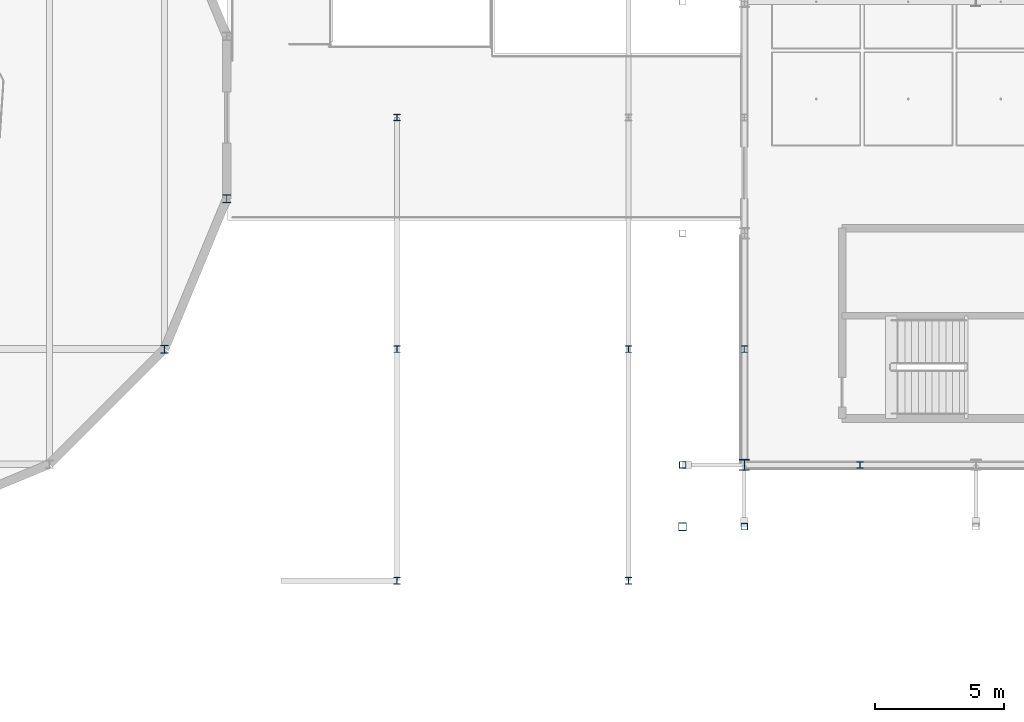
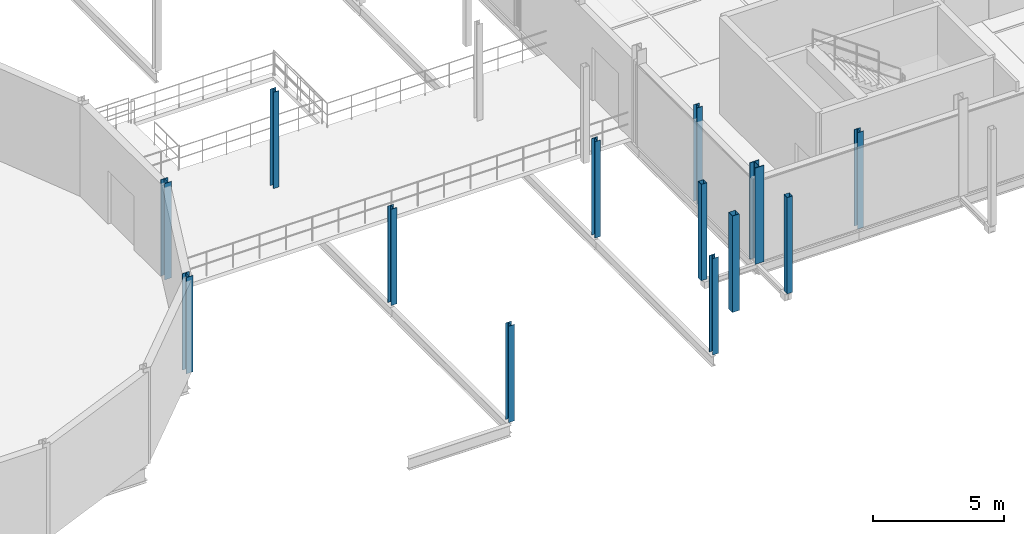
# One storey, part 2 of 130: 13 columns.
"""IFC4 building model written with IfcOpenShell, lengths in metres."""

from ifc_helpers import new_model, si_unit, direction, frame, origin, origin_2d, place, context, subcontext, project, spatial, hollow_rectangle, i_section, extrude, material, material_profile, profile_set, type_object, element, save


model = new_model("IFC4")

# Units and contexts
model_context = context("Model", 3, precision=1e-05, world=origin(), true_north=direction((0.0, 1.0)))
body_context = subcontext(model_context, "Body", "Model", "MODEL_VIEW")
ifc_project = project(units=[si_unit("LENGTHUNIT", "METRE"), si_unit("AREAUNIT", "SQUARE_METRE"), si_unit("VOLUMEUNIT", "CUBIC_METRE"), si_unit("PLANEANGLEUNIT", "RADIAN"), si_unit("MASSUNIT", "GRAM", prefix="KILO"), si_unit("THERMODYNAMICTEMPERATUREUNIT", "KELVIN"), si_unit("POWERUNIT", "WATT")], contexts=[model_context])

# Site, building, storey
site_placement = place(None, origin())
site = spatial("IfcSite", under=ifc_project, at=site_placement, CompositionType="ELEMENT")
building_placement = place(site_placement, origin())
building = spatial("IfcBuilding", under=site, at=building_placement, Name="Tallowbark Science Centre", CompositionType="ELEMENT")
storey_placement = place(building_placement, frame((0.0, 0.0, 5.39990234375)))
storey = spatial("IfcBuildingStorey", under=building, at=storey_placement, Name="L01", CompositionType="ELEMENT", Elevation=5.39990234375)

# Columns
ifc_material_1 = material(Name="White Architectural Painted Steel Grade C350L0 (350 MPa)", Category="steel")
ifc_material_profile_1 = material_profile(ifc_material_1, hollow_rectangle(XDim=0.25, YDim=0.25, WallThickness=0.009033203125, at=origin_2d()), Name="250x250x9.0SHS")
ifc_profile_set_1 = profile_set([ifc_material_profile_1], Name="White Architectural Painted Steel Grade C350L0 (350 MPa)")
column_type_1 = type_object("IfcColumnType", Name="COL-SCR200", PredefinedType="COLUMN", material=ifc_profile_set_1)
for number, where, z_axis, x_axis, name in (
    (1, (58.5, 2.10009765625, 0.0), (0.0, 0.0, 1.0), (1.0, 0.0, 0.0), "Column SCR-S01 L01"),
    (2, (56.10009765625, 4.5, 0.0), (0.0, 0.0, 1.0), (1.0, 0.0, 0.0), "Column SCR-W01 L01"),
):
    element("IfcColumn", number, at=place(storey_placement, frame(where, z_axis=z_axis, x_axis=x_axis)), inside=storey, type_object=column_type_1, Name=name, PredefinedType="COLUMN", context=body_context, shape_type="SweptSolid", body=[
        extrude(hollow_rectangle(XDim=0.25, YDim=0.25, WallThickness=0.009033203125, at=origin_2d()), origin(), (0.0, 0.0, 1.0), 4.5),
    ])
ifc_material_profile_2 = material_profile(ifc_material_1, hollow_rectangle(XDim=0.300048828125, YDim=0.300048828125, WallThickness=0.010009765625, at=origin_2d()), Name="300x300x10.0SHS")
ifc_profile_set_2 = profile_set([ifc_material_profile_2], Name="White Architectural Painted Steel Grade C350L0 (350 MPa)")
column_type_2 = type_object("IfcColumnType", Name="COL-SCR300", PredefinedType="COLUMN", material=ifc_profile_set_2)
column_1_placement = place(storey_placement, frame((56.10009765625, 2.10009765625, 0.0), z_axis=(0.0, 0.0, 1.0), x_axis=(1.0, 0.0, 0.0)))
element("IfcColumn", 3, at=column_1_placement, inside=storey, type_object=column_type_2, Name="Column SCR-S00 L01", PredefinedType="COLUMN", context=body_context, shape_type="SweptSolid", body=[
    extrude(hollow_rectangle(XDim=0.300048828125, YDim=0.300048828125, WallThickness=0.010009765625, at=origin_2d()), origin(), (0.0, 0.0, 1.0), 4.5),
])
ifc_material_2 = material(Name="Structural Steel Grade 300PLUS (300 MPa)", Category="steel")
ifc_material_profile_3 = material_profile(ifc_material_2, i_section(OverallWidth=0.256103515625, OverallDepth=0.260009765625, WebThickness=0.010498046875, FlangeThickness=0.017333984375, FilletRadius=0.013916015625, at=origin_2d()), Name="250UC89.5")
ifc_profile_set_3 = profile_set([ifc_material_profile_3], Name="Structural Steel Grade 300PLUS (300 MPa)")
column_type_3 = type_object("IfcColumnType", Name="COL-UC250A", PredefinedType="COLUMN", material=ifc_profile_set_3)
for number, where, z_axis, x_axis, name in (
    (4, (45.0, 0.0, 0.0), (0.0, 0.0, 1.0), (1.0, 0.0, 0.0), "Column PAS-W00 L01"),
    (5, (54.0, 0.0, 0.0), (0.0, 0.0, 1.0), (1.0, 0.0, 0.0), "Column PAS-E00 L01"),
    (6, (45.0, 9.0, 0.0), (0.0, 0.0, 1.0), (1.0, 0.0, 0.0), "Column PAS-W01 L01"),
    (7, (54.0, 9.0, 0.0), (0.0, 0.0, 1.0), (1.0, 0.0, 0.0), "Column PAS-E01 L01"),
    (8, (45.0, 18.0, 0.0), (0.0, 0.0, 1.0), (1.0, 0.0, 0.0), "Column PAS-W02 L01"),
):
    element("IfcColumn", number, at=place(storey_placement, frame(where, z_axis=z_axis, x_axis=x_axis)), inside=storey, type_object=column_type_3, Name=name, PredefinedType="COLUMN", context=body_context, shape_type="SweptSolid", body=[
        extrude(i_section(OverallWidth=0.256103515625, OverallDepth=0.260009765625, WebThickness=0.010498046875, FlangeThickness=0.017333984375, FilletRadius=0.013916015625, at=origin_2d()), origin(), (0.0, 0.0, 1.0), 4.5),
    ])
ifc_material_profile_4 = material_profile(ifc_material_2, i_section(OverallWidth=0.39990234375, OverallDepth=0.427978515625, WebThickness=0.02001953125, FlangeThickness=0.028076171875, FilletRadius=0.01611328125, at=origin_2d()), Name="400WC270")
ifc_profile_set_4 = profile_set([ifc_material_profile_4], Name="Structural Steel Grade 300PLUS (300 MPa)")
column_type_4 = type_object("IfcColumnType", Name="COL-WC400", PredefinedType="COLUMN", material=ifc_profile_set_4)
column_2_placement = place(storey_placement, frame((58.5, 4.5, 0.0), z_axis=(0.0, 0.0, 1.0), x_axis=(1.0, 0.0, 0.0)))
element("IfcColumn", 9, at=column_2_placement, inside=storey, type_object=column_type_4, Name="Column CUB-M0_0 L01", PredefinedType="COLUMN", context=body_context, shape_type="SweptSolid", body=[
    extrude(i_section(OverallWidth=0.39990234375, OverallDepth=0.427978515625, WebThickness=0.02001953125, FlangeThickness=0.028076171875, FilletRadius=0.01611328125, at=origin_2d()), origin(), (0.0, 0.0, 1.0), 4.5),
])
ifc_material_profile_5 = material_profile(ifc_material_2, i_section(OverallWidth=0.256103515625, OverallDepth=0.260009765625, WebThickness=0.010498046875, FlangeThickness=0.017333984375, FilletRadius=0.013916015625, at=origin_2d()), Name="250UC89.5")
ifc_profile_set_5 = profile_set([ifc_material_profile_5], Name="Structural Steel Grade 300PLUS (300 MPa)")
column_type_5 = type_object("IfcColumnType", Name="PIL-UC250", PredefinedType="PILASTER", material=ifc_profile_set_5)
for number, where, z_axis, x_axis, name in (
    (10, (63.0, 4.5, 0.0), (0.0, 0.0, 1.0), (1.0, 0.0, 0.0), "Column CUB-PS-0 L01"),
    (11, (58.5, 9.0, 0.0), (0.0, 0.0, 1.0), (1.0, 0.0, 0.0), "Column CUB-PW-0 L01"),
):
    element("IfcColumn", number, at=place(storey_placement, frame(where, z_axis=z_axis, x_axis=x_axis)), inside=storey, type_object=column_type_5, Name=name, PredefinedType="PILASTER", context=body_context, shape_type="SweptSolid", body=[
        extrude(i_section(OverallWidth=0.256103515625, OverallDepth=0.260009765625, WebThickness=0.010498046875, FlangeThickness=0.017333984375, FilletRadius=0.013916015625, at=origin_2d()), origin(), (0.0, 0.0, 1.0), 4.5),
    ])
ifc_material_profile_6 = material_profile(ifc_material_2, i_section(OverallWidth=0.307373046875, OverallDepth=0.314697265625, WebThickness=0.011962890625, FlangeThickness=0.018798828125, FilletRadius=0.0166015625, at=origin_2d()), Name="310UC118")
ifc_profile_set_6 = profile_set([ifc_material_profile_6], Name="Structural Steel Grade 300PLUS (300 MPa)")
column_type_6 = type_object("IfcColumnType", Name="PIL-UC310", PredefinedType="PILASTER", material=ifc_profile_set_6)
for number, where, z_axis, x_axis, name in (
    (12, (35.9697265625, 8.999755859375, 0.0), (0.0, 0.0, 1.0), (1.0, 0.0, 0.0), "Column DRM-P15 L01"),
    (13, (38.388671875, 14.839599609375, 0.0), (0.0, 0.0, 1.0), (1.0, 0.0, 0.0), "Column DRM-P16 L01"),
):
    element("IfcColumn", number, at=place(storey_placement, frame(where, z_axis=z_axis, x_axis=x_axis)), inside=storey, type_object=column_type_6, Name=name, PredefinedType="PILASTER", context=body_context, shape_type="SweptSolid", body=[
        extrude(i_section(OverallWidth=0.307373046875, OverallDepth=0.314697265625, WebThickness=0.011962890625, FlangeThickness=0.018798828125, FilletRadius=0.0166015625, at=origin_2d()), origin(), (0.0, 0.0, 1.0), 4.5),
    ])

save(model, "model.ifc")
